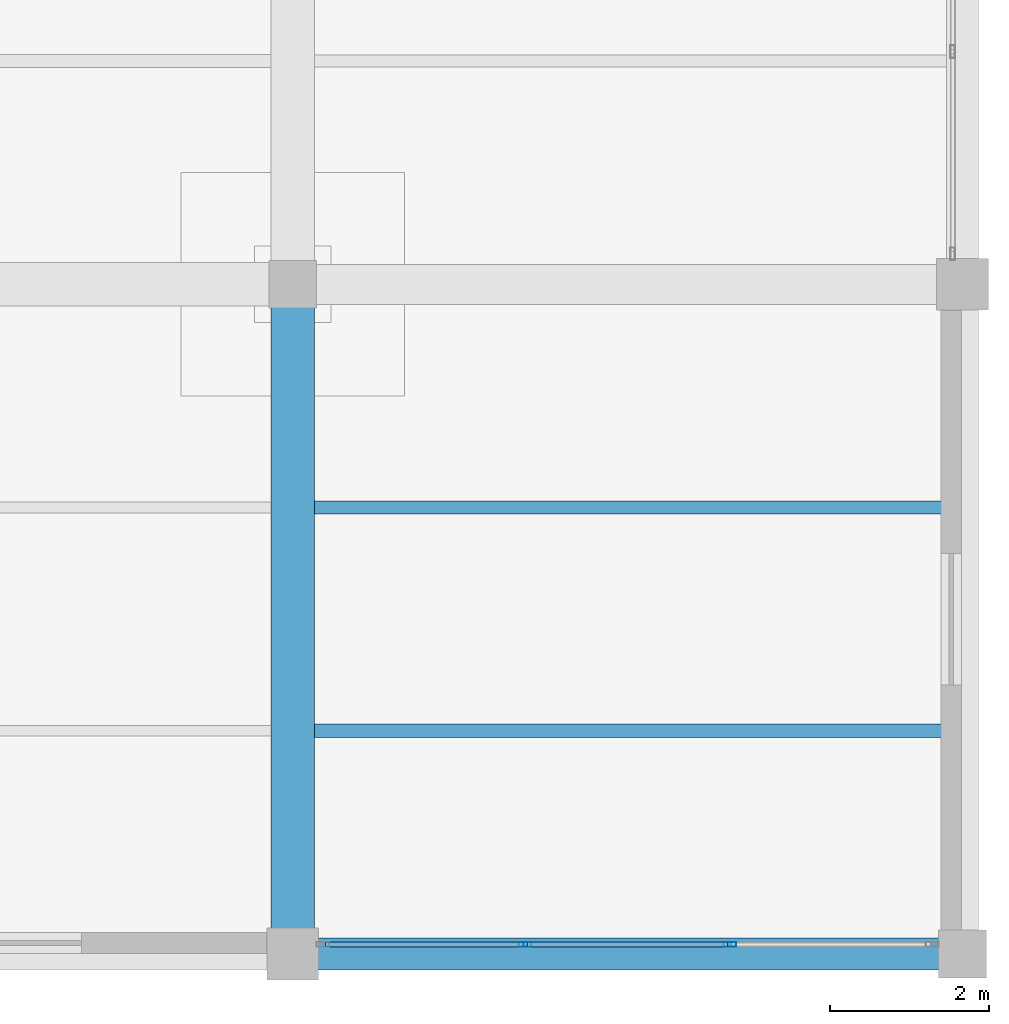
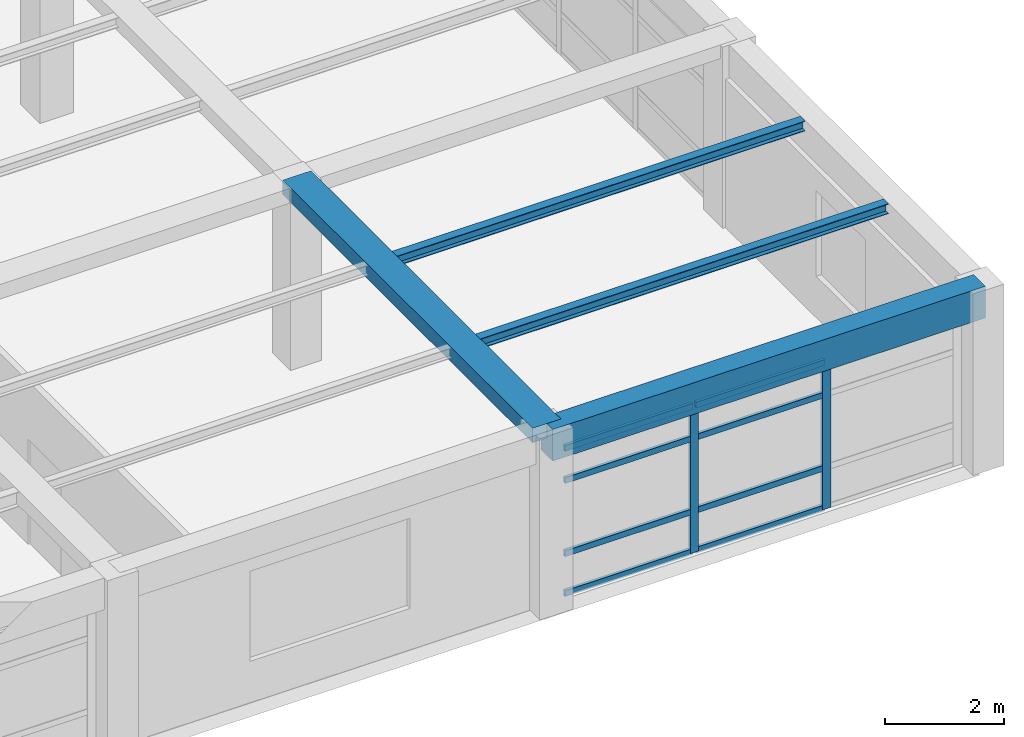
# One storey, part 10 of 26: 10 members, 4 beams, 1 element without a shape of its own.
"""IFC4 building model written with IfcOpenShell, lengths in metres."""

from ifc_helpers import new_model, si_unit, direction, frame, origin, origin_2d, place, context, subcontext, project, spatial, rectangle, hollow_rectangle, i_section, extrude, material, material_profile, profile_set, type_object, element, aggregate, save


model = new_model("IFC4")

# Units and contexts
model_context = context("Model", 3, precision=1e-05, world=origin(), true_north=direction((0.0, 1.0)))
body_context = subcontext(model_context, "Body", "Model", "MODEL_VIEW")
ifc_project = project(units=[si_unit("LENGTHUNIT", "METRE"), si_unit("AREAUNIT", "SQUARE_METRE"), si_unit("VOLUMEUNIT", "CUBIC_METRE"), si_unit("PLANEANGLEUNIT", "RADIAN"), si_unit("MASSUNIT", "GRAM", prefix="KILO")], contexts=[model_context])

# Site, building, storey
site_placement = place(None, origin())
site = spatial("IfcSite", under=ifc_project, at=site_placement, CompositionType="ELEMENT")
building_placement = place(site_placement, origin())
building = spatial("IfcBuilding", under=site, at=building_placement, Name="Almacenes y Pasaje Nevantli", CompositionType="ELEMENT")
storey_placement = place(building_placement, frame((0.0, 0.0, 42.699951171875)))
storey = spatial("IfcBuildingStorey", under=building, at=storey_placement, Name="L10", CompositionType="ELEMENT", Elevation=42.699951171875)

# Beams
ifc_material_1 = material(Name="Concrete C35/45", Category="concrete")
ifc_material_profile_1 = material_profile(ifc_material_1, rectangle(XDim=0.39990234375, YDim=0.64990234375, at=origin_2d()), Name="RC-BM-400x650")
ifc_profile_set_1 = profile_set([ifc_material_profile_1], Name="Concrete C35/45")
beam_type_1 = type_object("IfcBeamType", Name="BM-RC-400x650", PredefinedType="SPANDREL", material=ifc_profile_set_1)
beam_1_placement = place(storey_placement, frame((151.199951171875, 67.199951171875, 3.39501953125), z_axis=(1.0, 0.0, 0.0), x_axis=(0.0, 1.0, 0.0)))
element("IfcBeam", 1, at=beam_1_placement, inside=storey, type_object=beam_type_1, Name="L10 East-West Reinforced Concrete Beam #3801", PredefinedType="SPANDREL", context=body_context, shape_type="SweptSolid", body=[
    extrude(rectangle(XDim=0.39990234375, YDim=0.64990234375, at=origin_2d()), origin(), (0.0, 0.0, 1.0), 8.400146484375),
])
ifc_material_2 = material(Name="Concrete C35/45", Category="concrete")
ifc_material_profile_2 = material_profile(ifc_material_2, rectangle(XDim=0.550048828125, YDim=0.300048828125, at=origin_2d()), Name="RC-BM-550x300")
ifc_profile_set_2 = profile_set([ifc_material_profile_2], Name="Concrete C35/45")
beam_type_2 = type_object("IfcBeamType", Name="BM-RC-550x300", PredefinedType="BEAM", material=ifc_profile_set_2)
beam_2_placement = place(storey_placement, frame((151.199951171875, 67.199951171875, 3.570068359375), z_axis=(0.0, 1.0, 0.0), x_axis=(-1.0, 0.0, 0.0)))
element("IfcBeam", 2, at=beam_2_placement, inside=storey, type_object=beam_type_2, Name="L10 North-South Reinforced Concrete Beam #3836", PredefinedType="BEAM", context=body_context, shape_type="SweptSolid", body=[
    extrude(rectangle(XDim=0.550048828125, YDim=0.300048828125, at=origin_2d()), origin(), (0.0, 0.0, 1.0), 8.400146484375),
])
ifc_material_3 = material(Name="Steel ASTM A992", Category="steel")
ifc_material_profile_3 = material_profile(ifc_material_3, i_section(OverallWidth=0.166015625, OverallDepth=0.205078125, WebThickness=0.007080078125, FlangeThickness=0.01171875, at=origin_2d()), Name="IR 203x41.7")
ifc_profile_set_3 = profile_set([ifc_material_profile_3], Name="Steel ASTM A992")
beam_type_3 = type_object("IfcBeamType", Name="BM-STL-IR-203x41p7", PredefinedType="JOIST", material=ifc_profile_set_3)
for number, where, z_axis, x_axis, name in (
    (3, (151.47509765625, 70.0, 3.609619140625), (1.0, 0.0, 0.0), (0.0, 1.0, 0.0), "L10 Secondary Steel Floor Joist #1507"),
    (4, (151.47509765625, 72.800048828125, 3.609619140625), (1.0, 0.0, 0.0), (0.0, 1.0, 0.0), "L10 Secondary Steel Floor Joist #1508"),
):
    element("IfcBeam", number, at=place(storey_placement, frame(where, z_axis=z_axis, x_axis=x_axis)), inside=storey, type_object=beam_type_3, Name=name, PredefinedType="JOIST", context=body_context, shape_type="SweptSolid", body=[
        extrude(i_section(OverallWidth=0.166015625, OverallDepth=0.205078125, WebThickness=0.007080078125, FlangeThickness=0.01171875, at=origin_2d()), origin(), (0.0, 0.0, 1.0), 7.9248046875),
    ])

# Curtain wall, members
ifc_material_4 = material(Name="Thermally Broken Aluminium and Low-E Glass", Category="aluminium")
curtain_wall_type = type_object("IfcCurtainWallType", Name="CW-UNIT-TOWER", PredefinedType="USERDEFINED", material=ifc_material_4)
curtain_wall_placement = place(storey_placement, origin())
curtain_wall = element("IfcCurtainWall", 5, at=curtain_wall_placement, inside=storey, type_object=curtain_wall_type, Name="L10 Tower South Unitized Curtain Wall Bay 19", ObjectType="UNITIZED CURTAIN WALL", PredefinedType="USERDEFINED")
ifc_material_5 = material(Name="Thermally Broken Anodized Aluminium", Category="aluminium")
ifc_material_profile_4 = material_profile(ifc_material_5, hollow_rectangle(XDim=0.06005859375, YDim=0.159912109375, WallThickness=0.00390625, at=origin_2d()), Name="ALU-MUL-60x160")
ifc_profile_set_4 = profile_set([ifc_material_profile_4], Name="Thermally Broken Anodized Aluminium")
member_type_1 = type_object("IfcMemberType", Name="CW-MUL-180", PredefinedType="MULLION", material=ifc_profile_set_4)
member_1_placement = place(storey_placement, frame((154.11669921875, 67.320068359375, 0.0), z_axis=(0.0, 0.0, 1.0), x_axis=(0.0, 1.0, 0.0)))
member_1 = element("IfcMember", 6, at=member_1_placement, type_object=member_type_1, Name="CW-L10-145 mullion 2", PredefinedType="MULLION", context=body_context, shape_type="SweptSolid", body=[
    extrude(hollow_rectangle(XDim=0.06005859375, YDim=0.159912109375, WallThickness=0.00390625, at=origin_2d()), origin(), (0.0, 0.0, 1.0), 3.0400390625),
])
member_2_placement = place(storey_placement, frame((156.683349609375, 67.320068359375, 0.0), z_axis=(0.0, 0.0, 1.0), x_axis=(0.0, 1.0, 0.0)))
member_2 = element("IfcMember", 7, at=member_2_placement, type_object=member_type_1, Name="CW-L10-145 mullion 3", PredefinedType="MULLION", context=body_context, shape_type="SweptSolid", body=[
    extrude(hollow_rectangle(XDim=0.06005859375, YDim=0.159912109375, WallThickness=0.00390625, at=origin_2d()), origin(), (0.0, 0.0, 1.0), 3.0400390625),
])
ifc_material_6 = material(Name="Thermally Broken Anodized Aluminium", Category="aluminium")
ifc_material_profile_5 = material_profile(ifc_material_6, hollow_rectangle(XDim=0.06005859375, YDim=0.1201171875, WallThickness=0.00341796875, at=origin_2d()), Name="ALU-TRN-60x120")
ifc_profile_set_5 = profile_set([ifc_material_profile_5], Name="Thermally Broken Anodized Aluminium")
member_type_2 = type_object("IfcMemberType", Name="CW-TRN-130", PredefinedType="USERDEFINED", material=ifc_profile_set_5)
member_3_placement = place(storey_placement, frame((151.610107421875, 67.320068359375, 0.030029296875), z_axis=(1.0, 0.0, 0.0), x_axis=(0.0, 1.0, 0.0)))
member_3 = element("IfcMember", 8, at=member_3_placement, type_object=member_type_2, Name="CW-L10-145 transom 1.1", ObjectType="TRANSOM", PredefinedType="USERDEFINED", context=body_context, shape_type="SweptSolid", body=[
    extrude(hollow_rectangle(XDim=0.06005859375, YDim=0.1201171875, WallThickness=0.00341796875, at=origin_2d()), origin(), (0.0, 0.0, 1.0), 2.4765625),
])
member_4_placement = place(storey_placement, frame((151.610107421875, 67.320068359375, 0.85009765625), z_axis=(1.0, 0.0, 0.0), x_axis=(0.0, 1.0, 0.0)))
member_4 = element("IfcMember", 9, at=member_4_placement, type_object=member_type_2, Name="CW-L10-145 transom 1.2", ObjectType="TRANSOM", PredefinedType="USERDEFINED", context=body_context, shape_type="SweptSolid", body=[
    extrude(hollow_rectangle(XDim=0.06005859375, YDim=0.1201171875, WallThickness=0.00341796875, at=origin_2d()), origin(), (0.0, 0.0, 1.0), 2.4765625),
])
member_5_placement = place(storey_placement, frame((151.610107421875, 67.320068359375, 2.35009765625), z_axis=(1.0, 0.0, 0.0), x_axis=(0.0, 1.0, 0.0)))
member_5 = element("IfcMember", 10, at=member_5_placement, type_object=member_type_2, Name="CW-L10-145 transom 1.3", ObjectType="TRANSOM", PredefinedType="USERDEFINED", context=body_context, shape_type="SweptSolid", body=[
    extrude(hollow_rectangle(XDim=0.06005859375, YDim=0.1201171875, WallThickness=0.00341796875, at=origin_2d()), origin(), (0.0, 0.0, 1.0), 2.4765625),
])
member_6_placement = place(storey_placement, frame((151.610107421875, 67.320068359375, 3.010009765625), z_axis=(1.0, 0.0, 0.0), x_axis=(0.0, 1.0, 0.0)))
member_6 = element("IfcMember", 11, at=member_6_placement, type_object=member_type_2, Name="CW-L10-145 transom 1.4", ObjectType="TRANSOM", PredefinedType="USERDEFINED", context=body_context, shape_type="SweptSolid", body=[
    extrude(hollow_rectangle(XDim=0.06005859375, YDim=0.1201171875, WallThickness=0.00341796875, at=origin_2d()), origin(), (0.0, 0.0, 1.0), 2.4765625),
])
member_7_placement = place(storey_placement, frame((154.146728515625, 67.320068359375, 0.030029296875), z_axis=(1.0, 0.0, 0.0), x_axis=(0.0, 1.0, 0.0)))
member_7 = element("IfcMember", 12, at=member_7_placement, type_object=member_type_2, Name="CW-L10-145 transom 2.1", ObjectType="TRANSOM", PredefinedType="USERDEFINED", context=body_context, shape_type="SweptSolid", body=[
    extrude(hollow_rectangle(XDim=0.06005859375, YDim=0.1201171875, WallThickness=0.00341796875, at=origin_2d()), origin(), (0.0, 0.0, 1.0), 2.506591796875),
])
member_8_placement = place(storey_placement, frame((154.146728515625, 67.320068359375, 0.85009765625), z_axis=(1.0, 0.0, 0.0), x_axis=(0.0, 1.0, 0.0)))
member_8 = element("IfcMember", 13, at=member_8_placement, type_object=member_type_2, Name="CW-L10-145 transom 2.2", ObjectType="TRANSOM", PredefinedType="USERDEFINED", context=body_context, shape_type="SweptSolid", body=[
    extrude(hollow_rectangle(XDim=0.06005859375, YDim=0.1201171875, WallThickness=0.00341796875, at=origin_2d()), origin(), (0.0, 0.0, 1.0), 2.506591796875),
])
member_9_placement = place(storey_placement, frame((154.146728515625, 67.320068359375, 2.35009765625), z_axis=(1.0, 0.0, 0.0), x_axis=(0.0, 1.0, 0.0)))
member_9 = element("IfcMember", 14, at=member_9_placement, type_object=member_type_2, Name="CW-L10-145 transom 2.3", ObjectType="TRANSOM", PredefinedType="USERDEFINED", context=body_context, shape_type="SweptSolid", body=[
    extrude(hollow_rectangle(XDim=0.06005859375, YDim=0.1201171875, WallThickness=0.00341796875, at=origin_2d()), origin(), (0.0, 0.0, 1.0), 2.506591796875),
])
member_10_placement = place(storey_placement, frame((154.146728515625, 67.320068359375, 3.010009765625), z_axis=(1.0, 0.0, 0.0), x_axis=(0.0, 1.0, 0.0)))
member_10 = element("IfcMember", 15, at=member_10_placement, type_object=member_type_2, Name="CW-L10-145 transom 2.4", ObjectType="TRANSOM", PredefinedType="USERDEFINED", context=body_context, shape_type="SweptSolid", body=[
    extrude(hollow_rectangle(XDim=0.06005859375, YDim=0.1201171875, WallThickness=0.00341796875, at=origin_2d()), origin(), (0.0, 0.0, 1.0), 2.506591796875),
])
aggregate(curtain_wall, [member_1, member_2, member_3, member_4, member_5, member_6, member_7, member_8, member_9, member_10])

save(model, "model.ifc")
